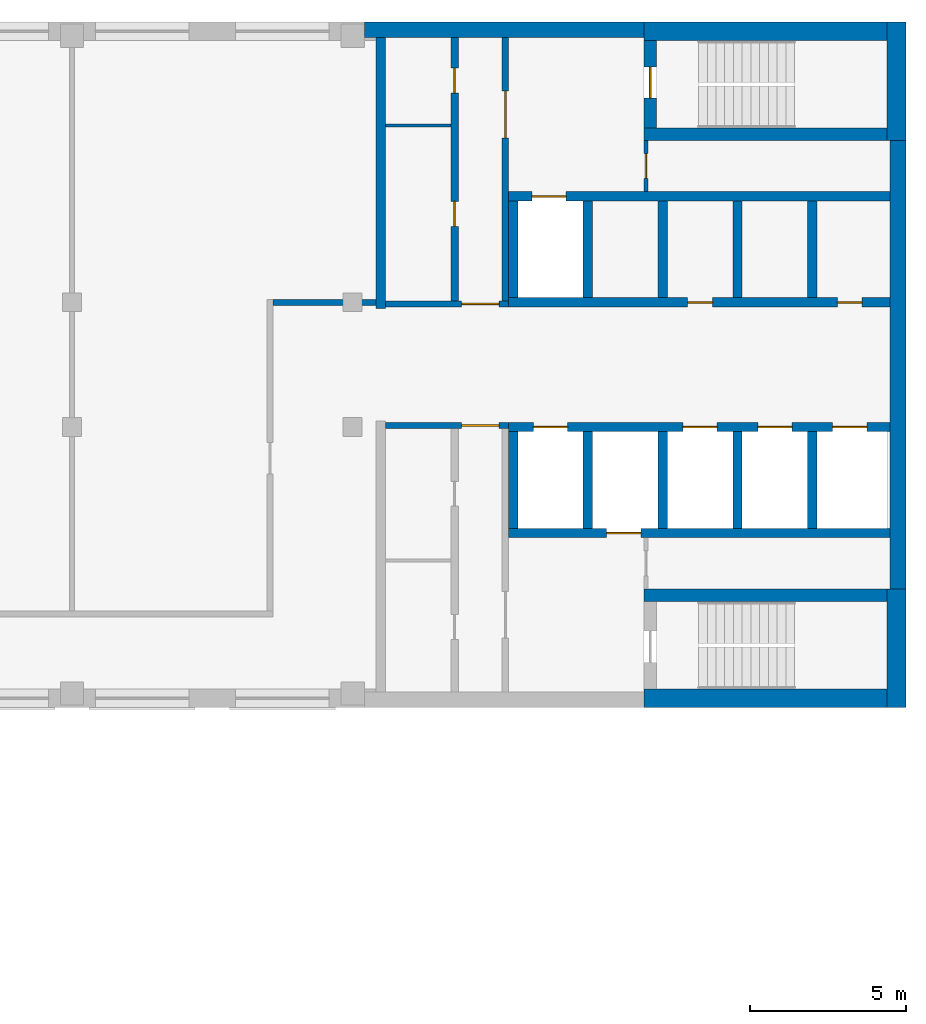
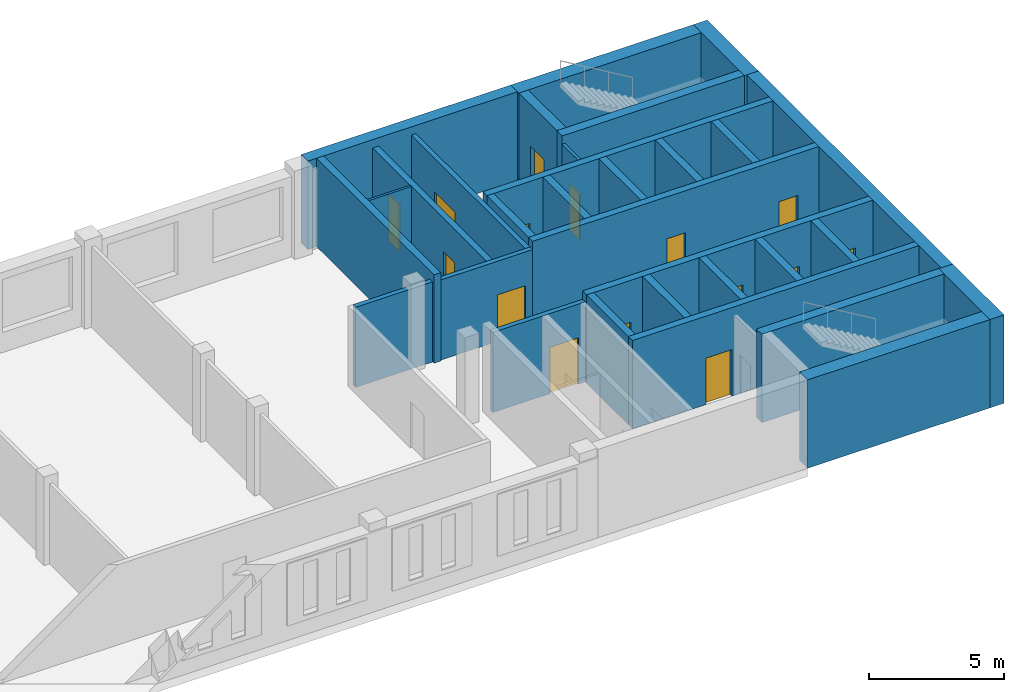
# One storey, part 5 of 7: 31 walls, 15 doors, 15 openings.
"""IFC4 building model written with IfcOpenShell, lengths in metres."""

from ifc_helpers import new_model, si_unit, direction, frame, frame_2d, origin, place, context, subcontext, project, spatial, rectangle, extrude, material, layer, layer_set, type_object, element, fill, save


model = new_model("IFC4")

# Units and contexts
model_context = context("Model", 3, precision=1e-05, world=origin(), true_north=direction((0.0, 1.0)))
body_context = subcontext(model_context, "Body", "Model", "MODEL_VIEW")
ifc_project = project(units=[si_unit("LENGTHUNIT", "METRE"), si_unit("AREAUNIT", "SQUARE_METRE"), si_unit("VOLUMEUNIT", "CUBIC_METRE"), si_unit("PLANEANGLEUNIT", "RADIAN"), si_unit("MASSUNIT", "GRAM", prefix="KILO")], contexts=[model_context])

# Site, building, storey
site_placement = place(None, origin())
site = spatial("IfcSite", under=ifc_project, at=site_placement, CompositionType="ELEMENT")
building_placement = place(site_placement, origin())
building = spatial("IfcBuilding", under=site, at=building_placement, Name="Skarvind Civic Tower", CompositionType="ELEMENT")
storey_placement = place(building_placement, frame((0.0, 0.0, 188.0)))
storey = spatial("IfcBuildingStorey", under=building, at=storey_placement, Name="L44", CompositionType="ELEMENT", Elevation=188.0)

# Wall, opening, door
ifc_material_1 = material(Name="Fire-rated masonry partition", Category="masonry")
ifc_layer_1 = layer(ifc_material_1, 0.199951171875)
ifc_layer_set_1 = layer_set([ifc_layer_1], Name="Core enclosure wall 200")
wall_type_1 = type_object("IfcWallType", Name="Core enclosure wall 200", PredefinedType="PARTITIONING", material=ifc_layer_set_1)
wall_1_placement = place(storey_placement, frame((95.25, 126.050048828125, 0.0), z_axis=(0.0, 0.0, 1.0), x_axis=(-1.0, 0.0, 0.0)))
wall_1 = element("IfcWall", 1, at=wall_1_placement, inside=storey, type_object=wall_type_1, Name="Core wall C1", PredefinedType="PARTITIONING", context=body_context, shape_type="SweptSolid", body=[
    extrude(rectangle(XDim=3.949951171875, YDim=0.199951171875, at=frame_2d((1.97509765625, 0.0))), origin(), (0.0, 0.0, 1.0), 3.625),
])
opening_1_placement = place(wall_1_placement, frame((0.300048828125, 0.0, 0.0)))
opening_1 = element("IfcOpeningElement", 2, at=opening_1_placement, cuts=wall_1, Name="Opening D-L44-C1-07", PredefinedType="OPENING", context=body_context, shape_type="SweptSolid", body=[
    extrude(rectangle(XDim=1.199951171875, YDim=2.10009765625, at=frame_2d((0.60009765625, 1.050048828125))), frame((0.0, 0.10986328125, 0.0), z_axis=(0.0, -1.0, 0.0), x_axis=(1.0, 0.0, 0.0)), (0.0, 0.0, 1.0), 0.219970703125),
])
ifc_material_2 = material(Name="Fire-rated steel door", Category="steel")
door_type_1 = type_object("IfcDoorType", Name="Core lobby door 1200", OperationType="NOTDEFINED", PredefinedType="DOOR", material=ifc_material_2)
door_1_placement = place(opening_1_placement, origin())
door_1 = element("IfcDoor", 3, at=door_1_placement, inside=storey, type_object=door_type_1, Name="Fire door", OperationType="DOUBLE_DOOR_SINGLE_SWING", OverallHeight=2.10009765625, OverallWidth=1.199951171875, PredefinedType="DOOR", context=body_context, shape_type="SweptSolid", body=[
    extrude(rectangle(XDim=1.199951171875, YDim=2.10009765625, at=frame_2d((0.60009765625, 1.050048828125))), frame((0.0, 0.02490234375, 0.0), z_axis=(0.0, -1.0, 0.0), x_axis=(1.0, 0.0, 0.0)), (0.0, 0.0, 1.0), 0.050048828125),
])
fill(opening_1, door_1)

wall_2_placement = place(storey_placement, frame((91.300048828125, 129.949951171875, 0.0), z_axis=(0.0, 0.0, 1.0), x_axis=(1.0, 0.0, 0.0)))
wall_2 = element("IfcWall", 4, at=wall_2_placement, inside=storey, type_object=wall_type_1, Name="Core wall C1", PredefinedType="PARTITIONING", context=body_context, shape_type="SweptSolid", body=[
    extrude(rectangle(XDim=3.949951171875, YDim=0.199951171875, at=frame_2d((1.97509765625, 0.0))), origin(), (0.0, 0.0, 1.0), 3.625),
])
opening_2_placement = place(wall_2_placement, frame((2.449951171875, 0.0, 0.0)))
opening_2 = element("IfcOpeningElement", 5, at=opening_2_placement, cuts=wall_2, Name="Opening D-L44-C1-13", PredefinedType="OPENING", context=body_context, shape_type="SweptSolid", body=[
    extrude(rectangle(XDim=1.199951171875, YDim=2.10009765625, at=frame_2d((0.60009765625, 1.050048828125))), frame((0.0, 0.10986328125, 0.0), z_axis=(0.0, -1.0, 0.0), x_axis=(1.0, 0.0, 0.0)), (0.0, 0.0, 1.0), 0.219970703125),
])
door_2_placement = place(opening_2_placement, origin())
door_2 = element("IfcDoor", 6, at=door_2_placement, inside=storey, type_object=door_type_1, Name="Fire door", OperationType="DOUBLE_DOOR_SINGLE_SWING", OverallHeight=2.10009765625, OverallWidth=1.199951171875, PredefinedType="DOOR", context=body_context, shape_type="SweptSolid", body=[
    extrude(rectangle(XDim=1.199951171875, YDim=2.10009765625, at=frame_2d((0.60009765625, 1.050048828125))), frame((0.0, 0.02490234375, 0.0), z_axis=(0.0, -1.0, 0.0), x_axis=(1.0, 0.0, 0.0)), (0.0, 0.0, 1.0), 0.050048828125),
])
fill(opening_2, door_2)

wall_3_placement = place(storey_placement, frame((95.14990234375, 130.050048828125, 0.0), z_axis=(0.0, 0.0, 1.0), x_axis=(0.0, 1.0, 0.0)))
wall_3 = element("IfcWall", 7, at=wall_3_placement, inside=storey, type_object=wall_type_1, Name="Core wall C1", PredefinedType="PARTITIONING", context=body_context, shape_type="SweptSolid", body=[
    extrude(rectangle(XDim=8.449951171875, YDim=0.199951171875, at=frame_2d((4.22509765625, 0.0))), origin(), (0.0, 0.0, 1.0), 3.625),
])
opening_3_placement = place(wall_3_placement, frame((5.22509765625, 0.0, 0.0)))
opening_3 = element("IfcOpeningElement", 8, at=opening_3_placement, cuts=wall_3, Name="Opening D-L44-C1-14", PredefinedType="OPENING", context=body_context, shape_type="SweptSolid", body=[
    extrude(rectangle(XDim=1.5, YDim=2.10009765625, at=frame_2d((0.75, 1.050048828125))), frame((0.0, 0.10986328125, 0.0), z_axis=(0.0, -1.0, 0.0), x_axis=(1.0, 0.0, 0.0)), (0.0, 0.0, 1.0), 0.219970703125),
])
door_type_2 = type_object("IfcDoorType", Name="Fire door 1500", OperationType="NOTDEFINED", PredefinedType="DOOR", material=ifc_material_2)
door_3_placement = place(opening_3_placement, origin())
door_3 = element("IfcDoor", 9, at=door_3_placement, inside=storey, type_object=door_type_2, Name="Fire door", OperationType="DOUBLE_DOOR_SINGLE_SWING", OverallHeight=2.10009765625, OverallWidth=1.5, PredefinedType="DOOR", context=body_context, shape_type="SweptSolid", body=[
    extrude(rectangle(XDim=1.5, YDim=2.10009765625, at=frame_2d((0.75, 1.050048828125))), frame((0.0, 0.02490234375, 0.0), z_axis=(0.0, -1.0, 0.0), x_axis=(1.0, 0.0, 0.0)), (0.0, 0.0, 1.0), 0.050048828125),
])
fill(opening_3, door_3)

# Wall
ifc_material_3 = material(Name="Fire-rated plasterboard partition")
ifc_layer_2 = layer(ifc_material_3, 0.10009765625)
ifc_layer_set_2 = layer_set([ifc_layer_2], Name="Core partition wall 100")
wall_type_2 = type_object("IfcWallType", Name="Core partition wall 100", PredefinedType="PARTITIONING", material=ifc_layer_set_2)
wall_4_placement = place(storey_placement, frame((91.300048828125, 135.679931640625, 0.0), z_axis=(0.0, 0.0, 1.0), x_axis=(1.0, 0.0, 0.0)))
element("IfcWall", 10, at=wall_4_placement, inside=storey, type_object=wall_type_2, Name="Core wall C1", PredefinedType="PARTITIONING", context=body_context, shape_type="SweptSolid", body=[
    extrude(rectangle(XDim=2.099853515625, YDim=0.10009765625, at=frame_2d((1.0498046875, 0.0))), origin(), (0.0, 0.0, 1.0), 3.625),
])

# Wall, openings, doors
ifc_material_4 = material(Name="Concrete C60", Category="concrete")
ifc_layer_3 = layer(ifc_material_4, 0.300048828125)
ifc_layer_set_3 = layer_set([ifc_layer_3], Name="Core wall 300 C60")
wall_type_3 = type_object("IfcWallType", Name="Core wall 300 C60", PredefinedType="SHEAR", material=ifc_layer_set_3)
wall_5_placement = place(storey_placement, frame((107.5, 130.0, 0.0), z_axis=(0.0, 0.0, 1.0), x_axis=(-1.0, 0.0, 0.0)))
wall_5 = element("IfcWall", 11, at=wall_5_placement, inside=storey, type_object=wall_type_3, Name="Core wall C1 south lift row front L44", PredefinedType="SHEAR", context=body_context, shape_type="SweptSolid", body=[
    extrude(rectangle(XDim=12.25, YDim=0.300048828125, at=frame_2d((6.125, 0.0))), origin(), (0.0, 0.0, 1.0), 4.0),
])
opening_4_placement = place(wall_5_placement, frame((0.89990234375, 0.0, 0.0)))
opening_4 = element("IfcOpeningElement", 12, at=opening_4_placement, cuts=wall_5, Name="Opening D-L44-C1-05", PredefinedType="OPENING", context=body_context, shape_type="SweptSolid", body=[
    extrude(rectangle(XDim=0.800048828125, YDim=2.10009765625, at=frame_2d((0.39990234375, 1.050048828125))), frame((0.0, 0.159912109375, 0.0), z_axis=(0.0, -1.0, 0.0), x_axis=(1.0, 0.0, 0.0)), (0.0, 0.0, 1.0), 0.320068359375),
])
opening_5_placement = place(wall_5_placement, frame((5.699951171875, 0.0, 0.0)))
opening_5 = element("IfcOpeningElement", 13, at=opening_5_placement, cuts=wall_5, Name="Opening D-L44-C1-06", PredefinedType="OPENING", context=body_context, shape_type="SweptSolid", body=[
    extrude(rectangle(XDim=0.800048828125, YDim=2.10009765625, at=frame_2d((0.39990234375, 1.050048828125))), frame((0.0, 0.159912109375, 0.0), z_axis=(0.0, -1.0, 0.0), x_axis=(1.0, 0.0, 0.0)), (0.0, 0.0, 1.0), 0.320068359375),
])
door_type_3 = type_object("IfcDoorType", Name="Core riser door 800", OperationType="NOTDEFINED", PredefinedType="DOOR", material=ifc_material_2)
door_4_placement = place(opening_4_placement, origin())
door_4 = element("IfcDoor", 14, at=door_4_placement, inside=storey, type_object=door_type_3, Name="Riser door", OperationType="SINGLE_SWING_LEFT", OverallHeight=2.10009765625, OverallWidth=0.800048828125, PredefinedType="DOOR", context=body_context, shape_type="SweptSolid", body=[
    extrude(rectangle(XDim=0.800048828125, YDim=2.10009765625, at=frame_2d((0.39990234375, 1.050048828125))), frame((0.0, 0.02490234375, 0.0), z_axis=(0.0, -1.0, 0.0), x_axis=(1.0, 0.0, 0.0)), (0.0, 0.0, 1.0), 0.050048828125),
])
fill(opening_4, door_4)
door_5_placement = place(opening_5_placement, origin())
door_5 = element("IfcDoor", 15, at=door_5_placement, inside=storey, type_object=door_type_3, Name="Riser door", OperationType="SINGLE_SWING_RIGHT", OverallHeight=2.10009765625, OverallWidth=0.800048828125, PredefinedType="DOOR", context=body_context, shape_type="SweptSolid", body=[
    extrude(rectangle(XDim=0.800048828125, YDim=2.10009765625, at=frame_2d((0.39990234375, 1.050048828125))), frame((0.0, 0.02490234375, 0.0), z_axis=(0.0, -1.0, 0.0), x_axis=(1.0, 0.0, 0.0)), (0.0, 0.0, 1.0), 0.050048828125),
])
fill(opening_5, door_5)

# Wall, opening, door
wall_6_placement = place(storey_placement, frame((107.5, 133.39990234375, 0.0), z_axis=(0.0, 0.0, 1.0), x_axis=(-1.0, 0.0, 0.0)))
wall_6 = element("IfcWall", 16, at=wall_6_placement, inside=storey, type_object=wall_type_3, Name="Core wall C1 south lift row back L44", PredefinedType="SHEAR", context=body_context, shape_type="SweptSolid", body=[
    extrude(rectangle(XDim=12.25, YDim=0.300048828125, at=frame_2d((6.125, 0.0))), origin(), (0.0, 0.0, 1.0), 4.0),
])
opening_6_placement = place(wall_6_placement, frame((10.39990234375, 0.0, 0.0)))
opening_6 = element("IfcOpeningElement", 17, at=opening_6_placement, cuts=wall_6, Name="Opening LD46110", PredefinedType="OPENING", context=body_context, shape_type="SweptSolid", body=[
    extrude(rectangle(XDim=1.10009765625, YDim=2.10009765625, at=frame_2d((0.550048828125, 1.050048828125))), frame((0.0, 0.159912109375, 0.0), z_axis=(0.0, -1.0, 0.0), x_axis=(1.0, 0.0, 0.0)), (0.0, 0.0, 1.0), 0.320068359375),
])
ifc_material_5 = material(Name="Stainless steel landing door", Category="steel")
door_type_4 = type_object("IfcDoorType", Name="Lift landing door 1100", OperationType="DOUBLE_DOOR_SLIDING", PredefinedType="DOOR", material=ifc_material_5)
door_6_placement = place(opening_6_placement, origin())
door_6 = element("IfcDoor", 18, at=door_6_placement, inside=storey, type_object=door_type_4, Name="Lift landing door", OperationType="DOUBLE_DOOR_SLIDING", OverallHeight=2.10009765625, OverallWidth=1.10009765625, PredefinedType="DOOR", context=body_context, shape_type="SweptSolid", body=[
    extrude(rectangle(XDim=1.10009765625, YDim=2.10009765625, at=frame_2d((0.550048828125, 1.050048828125))), frame((0.0, 0.02490234375, 0.0), z_axis=(0.0, -1.0, 0.0), x_axis=(1.0, 0.0, 0.0)), (0.0, 0.0, 1.0), 0.050048828125),
])
fill(opening_6, door_6)

# Walls
for number, where, z_axis, x_axis, name in (
    (19, (105.0, 133.25, 0.0), (0.0, 0.0, 1.0), (0.0, -1.0, 0.0), "Core wall C1 south lift row division 1 L44"),
    (20, (102.60009765625, 133.25, 0.0), (0.0, 0.0, 1.0), (0.0, -1.0, 0.0), "Core wall C1 south lift row division 2 L44"),
    (21, (100.199951171875, 133.25, 0.0), (0.0, 0.0, 1.0), (0.0, -1.0, 0.0), "Core wall C1 south lift row division 3 L44"),
    (22, (97.800048828125, 133.25, 0.0), (0.0, 0.0, 1.0), (0.0, -1.0, 0.0), "Core wall C1 south lift row division 4 L44"),
    (23, (95.39990234375, 133.25, 0.0), (0.0, 0.0, 1.0), (0.0, -1.0, 0.0), "Core wall C1 south lift row division 5 L44"),
):
    element("IfcWall", number, at=place(storey_placement, frame(where, z_axis=z_axis, x_axis=x_axis)), inside=storey, type_object=wall_type_3, Name=name, PredefinedType="SHEAR", context=body_context, shape_type="SweptSolid", body=[
        extrude(rectangle(XDim=3.10009765625, YDim=0.300048828125, at=frame_2d((1.550048828125, 0.0))), origin(), (0.0, 0.0, 1.0), 4.0),
    ])

# Wall, openings, doors
wall_7_placement = place(storey_placement, frame((107.5, 126.0, 0.0), z_axis=(0.0, 0.0, 1.0), x_axis=(-1.0, 0.0, 0.0)))
wall_7 = element("IfcWall", 24, at=wall_7_placement, inside=storey, type_object=wall_type_3, Name="Core wall C1 north lift row front L44", PredefinedType="SHEAR", context=body_context, shape_type="SweptSolid", body=[
    extrude(rectangle(XDim=12.25, YDim=0.300048828125, at=frame_2d((6.125, 0.0))), origin(), (0.0, 0.0, 1.0), 4.0),
])
opening_7_placement = place(wall_7_placement, frame((0.75, 0.0, 0.0)))
opening_7 = element("IfcOpeningElement", 25, at=opening_7_placement, cuts=wall_7, Name="Opening LD46101", PredefinedType="OPENING", context=body_context, shape_type="SweptSolid", body=[
    extrude(rectangle(XDim=1.10009765625, YDim=2.10009765625, at=frame_2d((0.550048828125, 1.050048828125))), frame((0.0, 0.159912109375, 0.0), z_axis=(0.0, -1.0, 0.0), x_axis=(1.0, 0.0, 0.0)), (0.0, 0.0, 1.0), 0.320068359375),
])
opening_8_placement = place(wall_7_placement, frame((3.14990234375, 0.0, 0.0)))
opening_8 = element("IfcOpeningElement", 26, at=opening_8_placement, cuts=wall_7, Name="Opening LD46102", PredefinedType="OPENING", context=body_context, shape_type="SweptSolid", body=[
    extrude(rectangle(XDim=1.10009765625, YDim=2.10009765625, at=frame_2d((0.550048828125, 1.050048828125))), frame((0.0, 0.159912109375, 0.0), z_axis=(0.0, -1.0, 0.0), x_axis=(1.0, 0.0, 0.0)), (0.0, 0.0, 1.0), 0.320068359375),
])
opening_9_placement = place(wall_7_placement, frame((5.550048828125, 0.0, 0.0)))
opening_9 = element("IfcOpeningElement", 27, at=opening_9_placement, cuts=wall_7, Name="Opening LD46103", PredefinedType="OPENING", context=body_context, shape_type="SweptSolid", body=[
    extrude(rectangle(XDim=1.10009765625, YDim=2.10009765625, at=frame_2d((0.550048828125, 1.050048828125))), frame((0.0, 0.159912109375, 0.0), z_axis=(0.0, -1.0, 0.0), x_axis=(1.0, 0.0, 0.0)), (0.0, 0.0, 1.0), 0.320068359375),
])
opening_10_placement = place(wall_7_placement, frame((10.35009765625, 0.0, 0.0)))
opening_10 = element("IfcOpeningElement", 28, at=opening_10_placement, cuts=wall_7, Name="Opening LD46105", PredefinedType="OPENING", context=body_context, shape_type="SweptSolid", body=[
    extrude(rectangle(XDim=1.10009765625, YDim=2.10009765625, at=frame_2d((0.550048828125, 1.050048828125))), frame((0.0, 0.159912109375, 0.0), z_axis=(0.0, -1.0, 0.0), x_axis=(1.0, 0.0, 0.0)), (0.0, 0.0, 1.0), 0.320068359375),
])
door_7_placement = place(opening_7_placement, origin())
door_7 = element("IfcDoor", 29, at=door_7_placement, inside=storey, type_object=door_type_4, Name="Lift landing door", OperationType="DOUBLE_DOOR_SLIDING", OverallHeight=2.10009765625, OverallWidth=1.10009765625, PredefinedType="DOOR", context=body_context, shape_type="SweptSolid", body=[
    extrude(rectangle(XDim=1.10009765625, YDim=2.10009765625, at=frame_2d((0.550048828125, 1.050048828125))), frame((0.0, 0.02490234375, 0.0), z_axis=(0.0, -1.0, 0.0), x_axis=(1.0, 0.0, 0.0)), (0.0, 0.0, 1.0), 0.050048828125),
])
fill(opening_7, door_7)
door_8_placement = place(opening_8_placement, origin())
door_8 = element("IfcDoor", 30, at=door_8_placement, inside=storey, type_object=door_type_4, Name="Lift landing door", OperationType="DOUBLE_DOOR_SLIDING", OverallHeight=2.10009765625, OverallWidth=1.10009765625, PredefinedType="DOOR", context=body_context, shape_type="SweptSolid", body=[
    extrude(rectangle(XDim=1.10009765625, YDim=2.10009765625, at=frame_2d((0.550048828125, 1.050048828125))), frame((0.0, 0.02490234375, 0.0), z_axis=(0.0, -1.0, 0.0), x_axis=(1.0, 0.0, 0.0)), (0.0, 0.0, 1.0), 0.050048828125),
])
fill(opening_8, door_8)
door_9_placement = place(opening_9_placement, origin())
door_9 = element("IfcDoor", 31, at=door_9_placement, inside=storey, type_object=door_type_4, Name="Lift landing door", OperationType="DOUBLE_DOOR_SLIDING", OverallHeight=2.10009765625, OverallWidth=1.10009765625, PredefinedType="DOOR", context=body_context, shape_type="SweptSolid", body=[
    extrude(rectangle(XDim=1.10009765625, YDim=2.10009765625, at=frame_2d((0.550048828125, 1.050048828125))), frame((0.0, 0.02490234375, 0.0), z_axis=(0.0, -1.0, 0.0), x_axis=(1.0, 0.0, 0.0)), (0.0, 0.0, 1.0), 0.050048828125),
])
fill(opening_9, door_9)
door_10_placement = place(opening_10_placement, origin())
door_10 = element("IfcDoor", 32, at=door_10_placement, inside=storey, type_object=door_type_4, Name="Lift landing door", OperationType="DOUBLE_DOOR_SLIDING", OverallHeight=2.10009765625, OverallWidth=1.10009765625, PredefinedType="DOOR", context=body_context, shape_type="SweptSolid", body=[
    extrude(rectangle(XDim=1.10009765625, YDim=2.10009765625, at=frame_2d((0.550048828125, 1.050048828125))), frame((0.0, 0.02490234375, 0.0), z_axis=(0.0, -1.0, 0.0), x_axis=(1.0, 0.0, 0.0)), (0.0, 0.0, 1.0), 0.050048828125),
])
fill(opening_10, door_10)

# Wall, opening, door
wall_8_placement = place(storey_placement, frame((107.5, 122.60009765625, 0.0), z_axis=(0.0, 0.0, 1.0), x_axis=(-1.0, 0.0, 0.0)))
wall_8 = element("IfcWall", 33, at=wall_8_placement, inside=storey, type_object=wall_type_3, Name="Core wall C1 north lift row back L44", PredefinedType="SHEAR", context=body_context, shape_type="SweptSolid", body=[
    extrude(rectangle(XDim=12.25, YDim=0.300048828125, at=frame_2d((6.125, 0.0))), origin(), (0.0, 0.0, 1.0), 4.0),
])
opening_11_placement = place(wall_8_placement, frame((8.0, 0.0, 0.0)))
opening_11 = element("IfcOpeningElement", 34, at=opening_11_placement, cuts=wall_8, Name="Opening LD46104", PredefinedType="OPENING", context=body_context, shape_type="SweptSolid", body=[
    extrude(rectangle(XDim=1.10009765625, YDim=2.10009765625, at=frame_2d((0.550048828125, 1.050048828125))), frame((0.0, 0.159912109375, 0.0), z_axis=(0.0, -1.0, 0.0), x_axis=(1.0, 0.0, 0.0)), (0.0, 0.0, 1.0), 0.320068359375),
])
door_11_placement = place(opening_11_placement, origin())
door_11 = element("IfcDoor", 35, at=door_11_placement, inside=storey, type_object=door_type_4, Name="Lift landing door", OperationType="DOUBLE_DOOR_SLIDING", OverallHeight=2.10009765625, OverallWidth=1.10009765625, PredefinedType="DOOR", context=body_context, shape_type="SweptSolid", body=[
    extrude(rectangle(XDim=1.10009765625, YDim=2.10009765625, at=frame_2d((0.550048828125, 1.050048828125))), frame((0.0, 0.02490234375, 0.0), z_axis=(0.0, -1.0, 0.0), x_axis=(1.0, 0.0, 0.0)), (0.0, 0.0, 1.0), 0.050048828125),
])
fill(opening_11, door_11)

# Walls
for number, where, z_axis, x_axis, name in (
    (36, (105.0, 125.85009765625, 0.0), (0.0, 0.0, 1.0), (0.0, -1.0, 0.0), "Core wall C1 north lift row division 1 L44"),
    (37, (102.60009765625, 125.85009765625, 0.0), (0.0, 0.0, 1.0), (0.0, -1.0, 0.0), "Core wall C1 north lift row division 2 L44"),
    (38, (100.199951171875, 125.85009765625, 0.0), (0.0, 0.0, 1.0), (0.0, -1.0, 0.0), "Core wall C1 north lift row division 3 L44"),
    (39, (97.800048828125, 125.85009765625, 0.0), (0.0, 0.0, 1.0), (0.0, -1.0, 0.0), "Core wall C1 north lift row division 4 L44"),
    (40, (95.39990234375, 125.85009765625, 0.0), (0.0, 0.0, 1.0), (0.0, -1.0, 0.0), "Core wall C1 north lift row division 5 L44"),
):
    element("IfcWall", number, at=place(storey_placement, frame(where, z_axis=z_axis, x_axis=x_axis)), inside=storey, type_object=wall_type_3, Name=name, PredefinedType="SHEAR", context=body_context, shape_type="SweptSolid", body=[
        extrude(rectangle(XDim=3.10009765625, YDim=0.300048828125, at=frame_2d((1.550048828125, 0.0))), origin(), (0.0, 0.0, 1.0), 4.0),
    ])
wall_9_placement = place(storey_placement, frame((91.14990234375, 138.5, 0.0), z_axis=(0.0, 0.0, 1.0), x_axis=(0.0, -1.0, 0.0)))
element("IfcWall", 41, at=wall_9_placement, inside=storey, type_object=wall_type_3, Name="Core wall C1 south inner face L44", PredefinedType="SHEAR", context=body_context, shape_type="SweptSolid", body=[
    extrude(rectangle(XDim=8.699951171875, YDim=0.300048828125, at=frame_2d((4.35009765625, 0.0))), origin(), (0.0, 0.0, 1.0), 4.0),
])
ifc_layer_4 = layer(ifc_material_4, 0.39990234375)
ifc_layer_set_4 = layer_set([ifc_layer_4], Name="Core wall 400 C60")
wall_type_4 = type_object("IfcWallType", Name="Core wall 400 C60", PredefinedType="SHEAR", material=ifc_layer_set_4)
wall_10_placement = place(storey_placement, frame((107.39990234375, 135.39990234375, 0.0), z_axis=(0.0, 0.0, 1.0), x_axis=(-1.0, 0.0, 0.0)))
element("IfcWall", 42, at=wall_10_placement, inside=storey, type_object=wall_type_4, Name="Core wall C1 south stair inner L44", PredefinedType="SHEAR", context=body_context, shape_type="SweptSolid", body=[
    extrude(rectangle(XDim=7.7998046875, YDim=0.39990234375, at=frame_2d((3.89990234375, 0.0))), origin(), (0.0, 0.0, 1.0), 4.0),
])

# Wall, opening, door
wall_11_placement = place(storey_placement, frame((99.800048828125, 138.39990234375, 0.0), z_axis=(0.0, 0.0, 1.0), x_axis=(0.0, -1.0, 0.0)))
wall_11 = element("IfcWall", 43, at=wall_11_placement, inside=storey, type_object=wall_type_4, Name="Core wall C1 south stair end L44", PredefinedType="SHEAR", context=body_context, shape_type="SweptSolid", body=[
    extrude(rectangle(XDim=2.7998046875, YDim=0.39990234375, at=frame_2d((1.39990234375, 0.0))), origin(), (0.0, 0.0, 1.0), 4.0),
])
opening_12_placement = place(wall_11_placement, frame((0.85009765625, 0.0, 0.0)))
opening_12 = element("IfcOpeningElement", 44, at=opening_12_placement, cuts=wall_11, Name="Opening D-L44-C1-15", PredefinedType="OPENING", context=body_context, shape_type="SweptSolid", body=[
    extrude(rectangle(XDim=1.0, YDim=2.10009765625, at=frame_2d((0.5, 1.050048828125))), frame((0.0, 0.2099609375, 0.0), z_axis=(0.0, -1.0, 0.0), x_axis=(1.0, 0.0, 0.0)), (0.0, 0.0, 1.0), 0.419921875),
])
door_type_5 = type_object("IfcDoorType", Name="Fire door 1000", OperationType="NOTDEFINED", PredefinedType="DOOR", material=ifc_material_2)
door_12_placement = place(opening_12_placement, origin())
door_12 = element("IfcDoor", 45, at=door_12_placement, inside=storey, type_object=door_type_5, Name="Fire door", OperationType="SINGLE_SWING_RIGHT", OverallHeight=2.10009765625, OverallWidth=1.0, PredefinedType="DOOR", context=body_context, shape_type="SweptSolid", body=[
    extrude(rectangle(XDim=1.0, YDim=2.10009765625, at=frame_2d((0.5, 1.050048828125))), frame((0.0, 0.02490234375, 0.0), z_axis=(0.0, -1.0, 0.0), x_axis=(1.0, 0.0, 0.0)), (0.0, 0.0, 1.0), 0.050048828125),
])
fill(opening_12, door_12)

# Walls
wall_12_placement = place(storey_placement, frame((107.39990234375, 120.60009765625, 0.0), z_axis=(0.0, 0.0, 1.0), x_axis=(-1.0, 0.0, 0.0)))
element("IfcWall", 46, at=wall_12_placement, inside=storey, type_object=wall_type_4, Name="Core wall C1 north stair inner L44", PredefinedType="SHEAR", context=body_context, shape_type="SweptSolid", body=[
    extrude(rectangle(XDim=7.7998046875, YDim=0.39990234375, at=frame_2d((3.89990234375, 0.0))), origin(), (0.0, 0.0, 1.0), 4.0),
])
ifc_layer_5 = layer(ifc_material_4, 0.5)
ifc_layer_set_5 = layer_set([ifc_layer_5], Name="Core wall 500 C60")
wall_type_5 = type_object("IfcWallType", Name="Core wall 500 C60", PredefinedType="SHEAR", material=ifc_layer_set_5)
wall_13_placement = place(storey_placement, frame((107.75, 135.199951171875, 0.0), z_axis=(0.0, 0.0, 1.0), x_axis=(0.0, -1.0, 0.0)))
element("IfcWall", 47, at=wall_13_placement, inside=storey, type_object=wall_type_5, Name="Core wall C1 tip between the stairs L44", PredefinedType="SHEAR", context=body_context, shape_type="SweptSolid", body=[
    extrude(rectangle(XDim=14.39990234375, YDim=0.5, at=frame_2d((7.199951171875, 0.0))), origin(), (0.0, 0.0, 1.0), 4.0),
])
wall_14_placement = place(storey_placement, frame((99.60009765625, 138.75, 0.0), z_axis=(0.0, 0.0, 1.0), x_axis=(-1.0, 0.0, 0.0)))
element("IfcWall", 48, at=wall_14_placement, inside=storey, type_object=wall_type_5, Name="Core wall C1 south side L44", PredefinedType="SHEAR", context=body_context, shape_type="SweptSolid", body=[
    extrude(rectangle(XDim=8.97509765625, YDim=0.5, at=frame_2d((4.487548828125, 0.0))), origin(), (0.0, 0.0, 1.0), 4.0),
])
ifc_layer_6 = layer(ifc_material_4, 0.60009765625)
ifc_layer_set_6 = layer_set([ifc_layer_6], Name="Core wall 600 C60")
wall_type_6 = type_object("IfcWallType", Name="Core wall 600 C60", PredefinedType="SHEAR", material=ifc_layer_set_6)
for number, where, z_axis, x_axis, name in (
    (49, (107.699951171875, 139.0, 0.0), (0.0, 0.0, 1.0), (0.0, -1.0, 0.0), "Core wall C1 tip at the south stair L44"),
    (50, (107.699951171875, 120.800048828125, 0.0), (0.0, 0.0, 1.0), (0.0, -1.0, 0.0), "Core wall C1 tip at the north stair L44"),
):
    element("IfcWall", number, at=place(storey_placement, frame(where, z_axis=z_axis, x_axis=x_axis)), inside=storey, type_object=wall_type_6, Name=name, PredefinedType="SHEAR", context=body_context, shape_type="SweptSolid", body=[
        extrude(rectangle(XDim=3.800048828125, YDim=0.60009765625, at=frame_2d((1.89990234375, 0.0))), origin(), (0.0, 0.0, 1.0), 4.0),
    ])
for number, where, z_axis, x_axis, name in (
    (51, (107.39990234375, 138.699951171875, 0.0), (0.0, 0.0, 1.0), (-1.0, 0.0, 0.0), "Core wall C1 south side at the stair L44"),
    (52, (107.39990234375, 117.300048828125, 0.0), (0.0, 0.0, 1.0), (-1.0, 0.0, 0.0), "Core wall C1 north side at the stair L44"),
):
    element("IfcWall", number, at=place(storey_placement, frame(where, z_axis=z_axis, x_axis=x_axis)), inside=storey, type_object=wall_type_6, Name=name, PredefinedType="SHEAR", context=body_context, shape_type="SweptSolid", body=[
        extrude(rectangle(XDim=7.7998046875, YDim=0.60009765625, at=frame_2d((3.89990234375, 0.0))), origin(), (0.0, 0.0, 1.0), 4.0),
    ])
ifc_material_6 = material(Name="Fire-rated blockwork wall, plastered", Category="masonry")
ifc_layer_7 = layer(ifc_material_6, 0.199951171875)
ifc_layer_set_7 = layer_set([ifc_layer_7], Name="FIRE WALL 200 EI 60")
wall_type_7 = type_object("IfcWallType", Name="FIRE WALL 200 EI 60", PredefinedType="PARTITIONING", material=ifc_layer_set_7)
wall_15_placement = place(storey_placement, frame((87.699951171875, 130.0, 0.0), z_axis=(0.0, 0.0, 1.0), x_axis=(1.0, 0.0, 0.0)))
element("IfcWall", 53, at=wall_15_placement, inside=storey, type_object=wall_type_7, Name="Portal partition L44 021", PredefinedType="PARTITIONING", context=body_context, shape_type="SweptSolid", body=[
    extrude(rectangle(XDim=3.300048828125, YDim=0.199951171875, at=frame_2d((1.64990234375, 0.0))), origin(), (0.0, 0.0, 1.0), 3.625),
])

# Wall, opening, door
ifc_layer_8 = layer(ifc_material_1, 0.125)
ifc_layer_set_8 = layer_set([ifc_layer_8], Name="Riser wall 125")
wall_type_8 = type_object("IfcWallType", Name="Riser wall 125", PredefinedType="PARTITIONING", material=ifc_layer_set_8)
wall_16_placement = place(storey_placement, frame((99.66259765625, 133.550048828125, 0.0), z_axis=(0.0, 0.0, 1.0), x_axis=(0.0, 1.0, 0.0)))
wall_16 = element("IfcWall", 54, at=wall_16_placement, inside=storey, type_object=wall_type_8, Name="Core wall C1", PredefinedType="PARTITIONING", context=body_context, shape_type="SweptSolid", body=[
    extrude(rectangle(XDim=1.64990234375, YDim=0.125, at=frame_2d((0.824951171875, 0.0))), origin(), (0.0, 0.0, 1.0), 3.625),
])
opening_13_placement = place(wall_16_placement, frame((0.425048828125, 0.0, 0.0)))
opening_13 = element("IfcOpeningElement", 55, at=opening_13_placement, cuts=wall_16, Name="Opening D-L44-C1-16", PredefinedType="OPENING", context=body_context, shape_type="SweptSolid", body=[
    extrude(rectangle(XDim=0.800048828125, YDim=2.10009765625, at=frame_2d((0.39990234375, 1.050048828125))), frame((0.0, 0.072509765625, 0.0), z_axis=(0.0, -1.0, 0.0), x_axis=(1.0, 0.0, 0.0)), (0.0, 0.0, 1.0), 0.14501953125),
])
door_13_placement = place(opening_13_placement, origin())
door_13 = element("IfcDoor", 56, at=door_13_placement, inside=storey, type_object=door_type_3, Name="Riser door", OperationType="SINGLE_SWING_LEFT", OverallHeight=2.10009765625, OverallWidth=0.800048828125, PredefinedType="DOOR", context=body_context, shape_type="SweptSolid", body=[
    extrude(rectangle(XDim=0.800048828125, YDim=2.10009765625, at=frame_2d((0.39990234375, 1.050048828125))), frame((0.0, 0.02490234375, 0.0), z_axis=(0.0, -1.0, 0.0), x_axis=(1.0, 0.0, 0.0)), (0.0, 0.0, 1.0), 0.050048828125),
])
fill(opening_13, door_13)

# Wall, openings, doors
ifc_layer_9 = layer(ifc_material_1, 0.25)
ifc_layer_set_9 = layer_set([ifc_layer_9], Name="Service block wall 250")
wall_type_9 = type_object("IfcWallType", Name="Service block wall 250", PredefinedType="PARTITIONING", material=ifc_layer_set_9)
wall_17_placement = place(storey_placement, frame((93.52490234375, 130.050048828125, 0.0), z_axis=(0.0, 0.0, 1.0), x_axis=(0.0, 1.0, 0.0)))
wall_17 = element("IfcWall", 57, at=wall_17_placement, inside=storey, type_object=wall_type_9, Name="Core wall C1", PredefinedType="PARTITIONING", context=body_context, shape_type="SweptSolid", body=[
    extrude(rectangle(XDim=8.449951171875, YDim=0.25, at=frame_2d((4.22509765625, 0.0))), origin(), (0.0, 0.0, 1.0), 3.625),
])
opening_14_placement = place(wall_17_placement, frame((2.389892578125, 0.0, 0.0)))
opening_14 = element("IfcOpeningElement", 58, at=opening_14_placement, cuts=wall_17, Name="Opening D-L44-C1-17", PredefinedType="OPENING", context=body_context, shape_type="SweptSolid", body=[
    extrude(rectangle(XDim=0.800048828125, YDim=2.10009765625, at=frame_2d((0.39990234375, 1.050048828125))), frame((0.0, 0.135009765625, 0.0), z_axis=(0.0, -1.0, 0.0), x_axis=(1.0, 0.0, 0.0)), (0.0, 0.0, 1.0), 0.27001953125),
])
opening_15_placement = place(wall_17_placement, frame((6.6650390625, 0.0, 0.0)))
opening_15 = element("IfcOpeningElement", 59, at=opening_15_placement, cuts=wall_17, Name="Opening D-L44-C1-18", PredefinedType="OPENING", context=body_context, shape_type="SweptSolid", body=[
    extrude(rectangle(XDim=0.800048828125, YDim=2.10009765625, at=frame_2d((0.39990234375, 1.050048828125))), frame((0.0, 0.135009765625, 0.0), z_axis=(0.0, -1.0, 0.0), x_axis=(1.0, 0.0, 0.0)), (0.0, 0.0, 1.0), 0.27001953125),
])
door_14_placement = place(opening_14_placement, origin())
door_14 = element("IfcDoor", 60, at=door_14_placement, inside=storey, type_object=door_type_3, Name="Riser door", OperationType="SINGLE_SWING_RIGHT", OverallHeight=2.10009765625, OverallWidth=0.800048828125, PredefinedType="DOOR", context=body_context, shape_type="SweptSolid", body=[
    extrude(rectangle(XDim=0.800048828125, YDim=2.10009765625, at=frame_2d((0.39990234375, 1.050048828125))), frame((0.0, 0.02490234375, 0.0), z_axis=(0.0, -1.0, 0.0), x_axis=(1.0, 0.0, 0.0)), (0.0, 0.0, 1.0), 0.050048828125),
])
fill(opening_14, door_14)
door_15_placement = place(opening_15_placement, origin())
door_15 = element("IfcDoor", 61, at=door_15_placement, inside=storey, type_object=door_type_3, Name="Riser door", OperationType="SINGLE_SWING_LEFT", OverallHeight=2.10009765625, OverallWidth=0.800048828125, PredefinedType="DOOR", context=body_context, shape_type="SweptSolid", body=[
    extrude(rectangle(XDim=0.800048828125, YDim=2.10009765625, at=frame_2d((0.39990234375, 1.050048828125))), frame((0.0, 0.02490234375, 0.0), z_axis=(0.0, -1.0, 0.0), x_axis=(1.0, 0.0, 0.0)), (0.0, 0.0, 1.0), 0.050048828125),
])
fill(opening_15, door_15)

save(model, "model.ifc")
